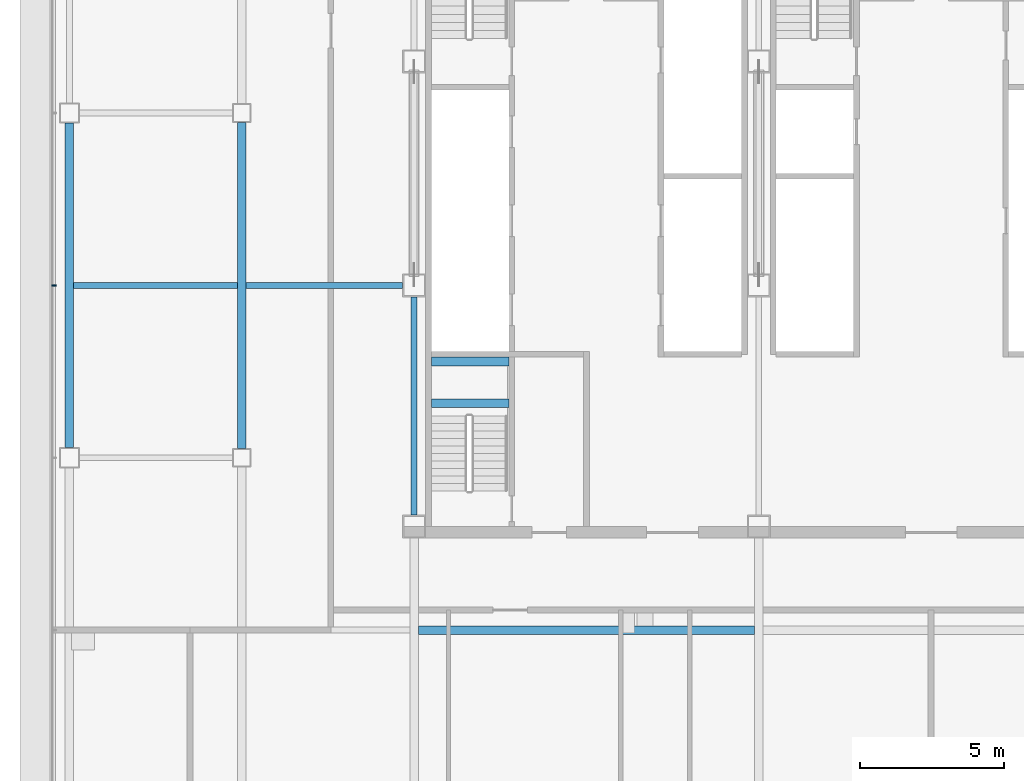
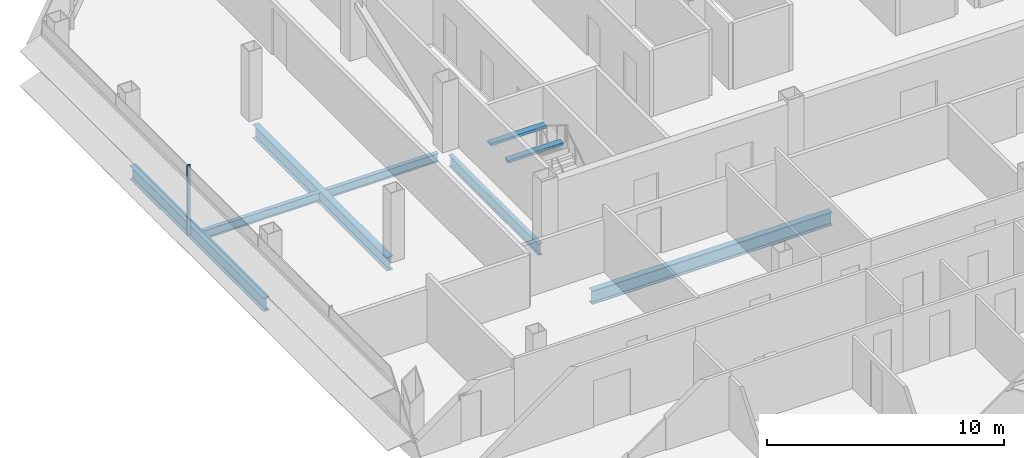
# One storey, part 6 of 26: 8 beams, 1 member, 1 element without a shape of its own.
"""IFC4 building model written with IfcOpenShell, lengths in metres."""

from ifc_helpers import new_model, si_unit, direction, frame, origin, origin_2d, place, context, subcontext, project, spatial, rectangle, i_section, extrude, material, material_profile, profile_set, type_object, element, aggregate, save


model = new_model("IFC4")

# Units and contexts
model_context = context("Model", 3, precision=1e-05, world=origin(), true_north=direction((0.0, 1.0)))
body_context = subcontext(model_context, "Body", "Model", "MODEL_VIEW")
ifc_project = project(units=[si_unit("LENGTHUNIT", "METRE"), si_unit("AREAUNIT", "SQUARE_METRE"), si_unit("VOLUMEUNIT", "CUBIC_METRE"), si_unit("PLANEANGLEUNIT", "RADIAN"), si_unit("MASSUNIT", "GRAM", prefix="KILO")], contexts=[model_context])

# Site, building, storey
site_placement = place(None, origin())
site = spatial("IfcSite", under=ifc_project, at=site_placement, CompositionType="ELEMENT")
building_placement = place(site_placement, origin())
building = spatial("IfcBuilding", under=site, at=building_placement, Name="Sorahane Residences", CompositionType="ELEMENT")
storey_placement = place(building_placement, frame((0.0, 0.0, 151.0)))
storey = spatial("IfcBuildingStorey", under=building, at=storey_placement, Name="L34", CompositionType="ELEMENT", Elevation=151.0)

# Curtain wall, member
ifc_material_1 = material(Name="Dark low-e glass and black anodised aluminium", Category="aluminium")
curtain_wall_type = type_object("IfcCurtainWallType", Name="Curtain wall CW-1 Typical unitised wall", PredefinedType="NOTDEFINED", material=ifc_material_1)
curtain_wall_placement = place(storey_placement, origin())
curtain_wall = element("IfcCurtainWall", 1, at=curtain_wall_placement, inside=storey, type_object=curtain_wall_type, Name="CW-1 curtain wall L34 W1", PredefinedType="NOTDEFINED")
ifc_material_2 = material(Name="Black anodised aluminium", Category="aluminium")
ifc_material_profile_1 = material_profile(ifc_material_2, rectangle(XDim=0.159912109375, YDim=0.050048828125, at=origin_2d()), Name="Curtain wall mullion CW-1 black anodised aluminium 50x160")
ifc_profile_set_1 = profile_set([ifc_material_profile_1], Name="Black anodised aluminium")
member_type = type_object("IfcMemberType", Name="Curtain wall mullion CW-1 black anodised aluminium 50x160", PredefinedType="MULLION", material=ifc_profile_set_1)
member_placement = place(storey_placement, frame((-6.5400390625, 30.0, -0.179931640625), z_axis=(0.0, 0.0, 1.0), x_axis=(-1.0, 0.0, 0.0)))
member = element("IfcMember", 2, at=member_placement, type_object=member_type, Name="CW-1 mullion L34 W1.3", PredefinedType="MULLION", context=body_context, shape_type="SweptSolid", body=[
    extrude(rectangle(XDim=0.159912109375, YDim=0.050048828125, at=origin_2d()), origin(), (0.0, 0.0, 1.0), 3.599853515625),
])
aggregate(curtain_wall, [member])

# Beams
ifc_material_3 = material(Name="Concrete C40", Category="concrete")
ifc_material_profile_2 = material_profile(ifc_material_3, rectangle(XDim=0.300048828125, YDim=0.139892578125, at=origin_2d()), Name="300x140")
ifc_profile_set_2 = profile_set([ifc_material_profile_2], Name="Concrete C40")
beam_type_1 = type_object("IfcBeamType", Name="RC landing beam 300 x 140 Concrete C40", PredefinedType="BEAM", material=ifc_profile_set_2)
for number, where, z_axis, x_axis, name in (
    (3, (6.60009765625, 25.89990234375, 1.530029296875), (1.0, 0.0, 0.0), (0.0, 1.0, 0.0), "Landing beam"),
    (4, (6.60009765625, 27.35009765625, 1.530029296875), (1.0, 0.0, 0.0), (0.0, 1.0, 0.0), "Landing beam"),
):
    element("IfcBeam", number, at=place(storey_placement, frame(where, z_axis=z_axis, x_axis=x_axis)), inside=storey, type_object=beam_type_1, Name=name, PredefinedType="BEAM", context=body_context, shape_type="SweptSolid", body=[
        extrude(rectangle(XDim=0.300048828125, YDim=0.139892578125, at=origin_2d()), origin(), (0.0, 0.0, 1.0), 2.699951171875),
    ])
ifc_material_4 = material(Name="Steel Q355B", Category="steel")
ifc_material_profile_3 = material_profile(ifc_material_4, i_section(OverallWidth=0.199951171875, OverallDepth=0.449951171875, WebThickness=0.009033203125, FlangeThickness=0.013916015625, FilletRadius=0.02001953125, at=origin_2d()), Name="HN 450x200x9x14")
ifc_profile_set_3 = profile_set([ifc_material_profile_3], Name="Steel Q355B")
beam_type_2 = type_object("IfcBeamType", Name="Steel floor beam HN 450x200x9x14 Q355B", PredefinedType="BEAM", material=ifc_profile_set_3)
beam_1_placement = place(storey_placement, frame((-5.85009765625, 30.0, -0.405029296875), z_axis=(1.0, 0.0, 0.0), x_axis=(0.0, 1.0, 0.0)))
element("IfcBeam", 5, at=beam_1_placement, inside=storey, type_object=beam_type_2, Name="Beam L34 085", PredefinedType="BEAM", context=body_context, shape_type="SweptSolid", body=[
    extrude(i_section(OverallWidth=0.199951171875, OverallDepth=0.449951171875, WebThickness=0.009033203125, FlangeThickness=0.013916015625, FilletRadius=0.02001953125, at=origin_2d()), origin(), (0.0, 0.0, 1.0), 5.7001953125),
])
beam_2_placement = place(storey_placement, frame((0.14990234375, 30.0, -0.405029296875), z_axis=(1.0, 0.0, 0.0), x_axis=(0.0, 1.0, 0.0)))
element("IfcBeam", 6, at=beam_2_placement, inside=storey, type_object=beam_type_2, Name="Beam L34 086", PredefinedType="BEAM", context=body_context, shape_type="SweptSolid", body=[
    extrude(i_section(OverallWidth=0.199951171875, OverallDepth=0.449951171875, WebThickness=0.009033203125, FlangeThickness=0.013916015625, FilletRadius=0.02001953125, at=origin_2d()), origin(), (0.0, 0.0, 1.0), 5.4501953125),
])
ifc_material_5 = material(Name="Steel Q355B", Category="steel")
ifc_material_profile_4 = material_profile(ifc_material_5, i_section(OverallWidth=0.199951171875, OverallDepth=0.60009765625, WebThickness=0.010986328125, FlangeThickness=0.01708984375, FilletRadius=0.02392578125, at=origin_2d()), Name="HN 600x200x11x17")
ifc_profile_set_4 = profile_set([ifc_material_profile_4], Name="Steel Q355B")
beam_type_3 = type_object("IfcBeamType", Name="Steel floor beam HN 600x200x11x17 Q355B", PredefinedType="BEAM", material=ifc_profile_set_4)
beam_3_placement = place(storey_placement, frame((6.0, 22.0, -0.47998046875), z_axis=(0.0, 1.0, 0.0), x_axis=(-1.0, 0.0, 0.0)))
element("IfcBeam", 7, at=beam_3_placement, inside=storey, type_object=beam_type_3, Name="Beam L34 030", PredefinedType="BEAM", context=body_context, shape_type="SweptSolid", body=[
    extrude(i_section(OverallWidth=0.199951171875, OverallDepth=0.60009765625, WebThickness=0.010986328125, FlangeThickness=0.01708984375, FilletRadius=0.02392578125, at=origin_2d()), origin(), (0.0, 0.0, 1.0), 7.60009765625),
])
ifc_material_6 = material(Name="Steel Q355B", Category="steel")
ifc_material_profile_5 = material_profile(ifc_material_6, i_section(OverallWidth=0.300048828125, OverallDepth=0.699951171875, WebThickness=0.012939453125, FlangeThickness=0.02392578125, FilletRadius=0.028076171875, at=origin_2d()), Name="HN 700x300x13x24")
ifc_profile_set_5 = profile_set([ifc_material_profile_5], Name="Steel Q355B")
beam_type_4 = type_object("IfcBeamType", Name="Steel floor beam HN 700x300x13x24 Q355B", PredefinedType="BEAM", material=ifc_profile_set_5)
beam_4_placement = place(storey_placement, frame((-6.0, 24.35009765625, -0.530029296875), z_axis=(0.0, 1.0, 0.0), x_axis=(-1.0, 0.0, 0.0)))
element("IfcBeam", 8, at=beam_4_placement, inside=storey, type_object=beam_type_4, Name="Beam L34 022", PredefinedType="BEAM", context=body_context, shape_type="SweptSolid", body=[
    extrude(i_section(OverallWidth=0.300048828125, OverallDepth=0.699951171875, WebThickness=0.012939453125, FlangeThickness=0.02392578125, FilletRadius=0.028076171875, at=origin_2d()), origin(), (0.0, 0.0, 1.0), 11.2998046875),
])
beam_5_placement = place(storey_placement, frame((0.0, 24.324951171875, -0.530029296875), z_axis=(0.0, 1.0, 0.0), x_axis=(-1.0, 0.0, 0.0)))
element("IfcBeam", 9, at=beam_5_placement, inside=storey, type_object=beam_type_4, Name="Beam L34 026", PredefinedType="BEAM", context=body_context, shape_type="SweptSolid", body=[
    extrude(i_section(OverallWidth=0.300048828125, OverallDepth=0.699951171875, WebThickness=0.012939453125, FlangeThickness=0.02392578125, FilletRadius=0.028076171875, at=origin_2d()), origin(), (0.0, 0.0, 1.0), 11.35009765625),
])
beam_6_placement = place(storey_placement, frame((6.14990234375, 18.0, -0.530029296875), z_axis=(1.0, 0.0, 0.0), x_axis=(0.0, 1.0, 0.0)))
element("IfcBeam", 10, at=beam_6_placement, inside=storey, type_object=beam_type_4, Name="Beam L34 080", PredefinedType="BEAM", context=body_context, shape_type="SweptSolid", body=[
    extrude(i_section(OverallWidth=0.300048828125, OverallDepth=0.699951171875, WebThickness=0.012939453125, FlangeThickness=0.02392578125, FilletRadius=0.028076171875, at=origin_2d()), origin(), (0.0, 0.0, 1.0), 11.7001953125),
])

save(model, "model.ifc")
